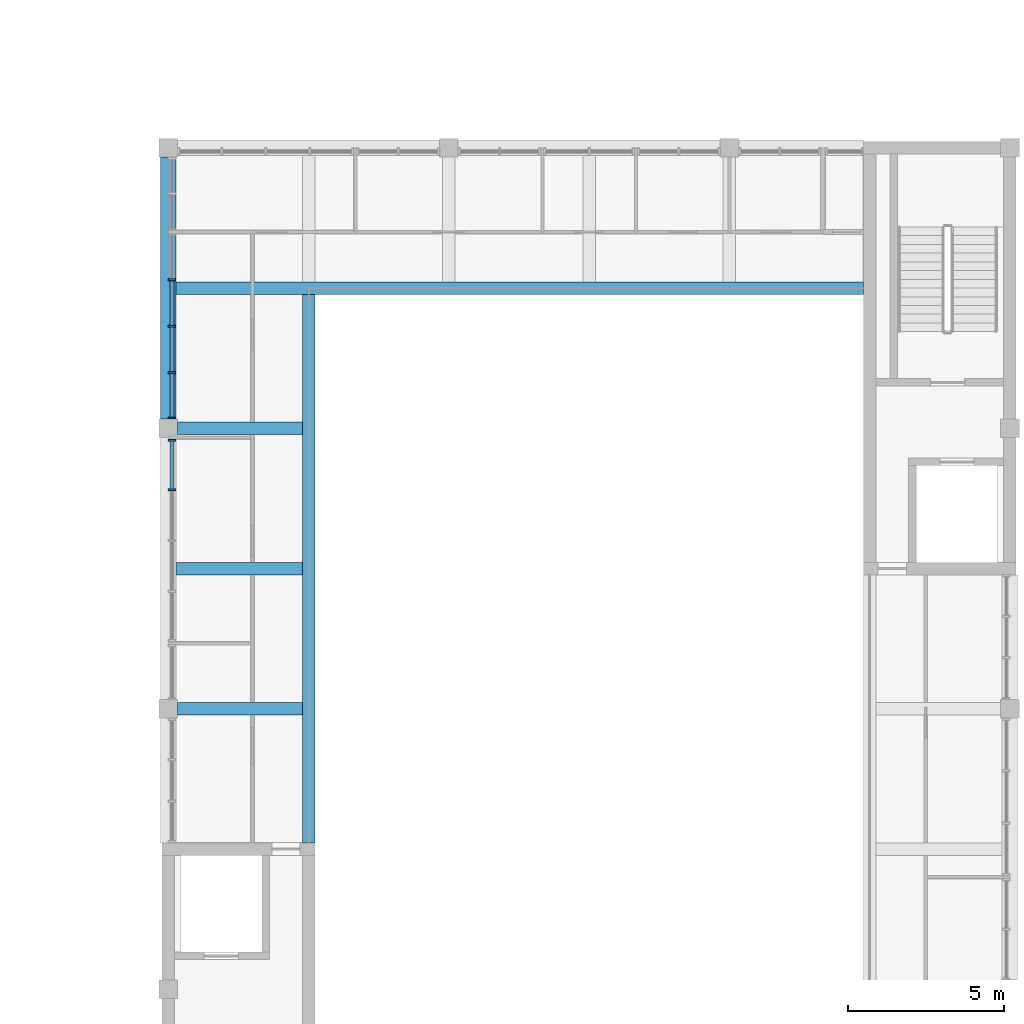
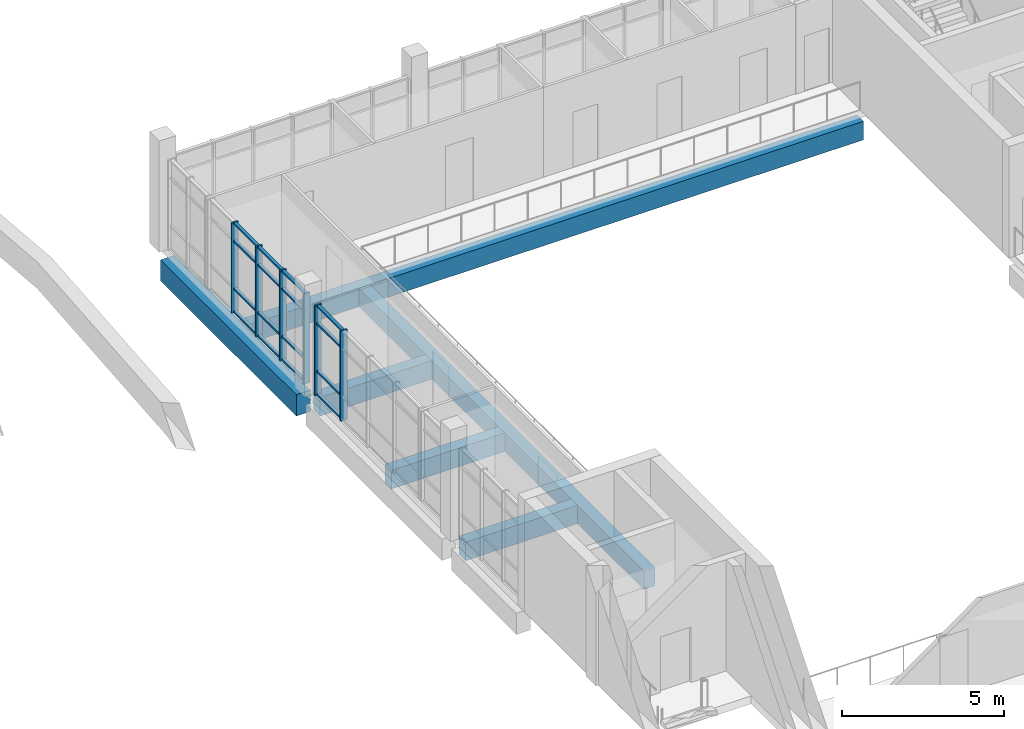
# One storey, part 7 of 88: 22 members, 6 beams, 2 elements without a shape of their own.
"""IFC4 building model written with IfcOpenShell, lengths in metres."""

import ifcopenshell
import ifcopenshell.guid

model = None  # the IFC model being written
_history = None  # IfcOwnerHistory: only IFC2X3 demands one
_inside = {}  # id of a spatial element -> (the spatial element, [elements in it])
_under = {}  # id of a project, library or spatial element -> (it, [spatial elements below it])
_declared = {}  # id of a project -> (the project, [libraries it declares])
_typed = {}  # id of a type object -> (the type object, [elements of that type])
_made_of = {}  # id of a material, layer set ... -> (it, [elements and type objects made of it])


def new_model(schema):
    """Start an empty IFC model of exactly this schema.

    Asked for "IFC4X3", IfcOpenShell would pick the latest addendum, in which some entities
    have other attributes; the version numbers below select the first issue.
    IFC2X3 requires an IfcOwnerHistory on every rooted entity: one is made here for all.
    """
    global model, _history
    if schema == "IFC4X3":
        model = ifcopenshell.file(schema_version=(4, 3, 0, 0))
    else:
        model = ifcopenshell.file(schema=schema)
    _inside.clear()
    _under.clear()
    _declared.clear()
    _typed.clear()
    _made_of.clear()
    _history = None
    if model.schema == "IFC2X3":
        org = make("IfcOrganization", Name="unknown")
        user = make(
            "IfcPersonAndOrganization",
            ThePerson=make("IfcPerson", FamilyName="unknown"),
            TheOrganization=org,
        )
        app = make(
            "IfcApplication",
            ApplicationDeveloper=org,
            Version="unknown",
            ApplicationFullName="unknown",
            ApplicationIdentifier="unknown",
        )
        _history = make(
            "IfcOwnerHistory",
            OwningUser=user,
            OwningApplication=app,
            ChangeAction="ADDED",
            CreationDate=0,
        )
    return model


def make(cls, **values):
    """One entity of the class cls with the attributes given. An attribute that is None is left unset."""
    return model.create_entity(
        cls, **{name: value for name, value in values.items() if value is not None}
    )


def rooted(cls, **values):
    """An entity with a GlobalId (a new one), such as an element, a storey or a relation."""
    return make(cls, GlobalId=ifcopenshell.guid.new(), OwnerHistory=_history, **values)


def si_unit(unit_type, name, prefix=None):
    """IfcSIUnit, for example si_unit("LENGTHUNIT", "METRE", prefix="MILLI")."""
    return make("IfcSIUnit", UnitType=unit_type, Prefix=prefix, Name=name)


def assignment(units):
    """IfcUnitAssignment: the units of a project."""
    return None if units is None else make("IfcUnitAssignment", Units=units)


def point(xyz):
    """IfcCartesianPoint."""
    return None if xyz is None else make("IfcCartesianPoint", Coordinates=xyz)


def direction(xyz):
    """IfcDirection."""
    return None if xyz is None else make("IfcDirection", DirectionRatios=xyz)


def frame(location, z_axis=None, x_axis=None):
    """IfcAxis2Placement3D, a coordinate frame: its origin and axes. An axis left out is left unset."""
    return make(
        "IfcAxis2Placement3D",
        Location=point(location),
        Axis=direction(z_axis),
        RefDirection=direction(x_axis),
    )


def frame_2d(location, x_axis=None):
    """IfcAxis2Placement2D, a coordinate frame in the plane: its origin and x axis."""
    return make(
        "IfcAxis2Placement2D", Location=point(location), RefDirection=direction(x_axis)
    )


def origin():
    """The frame at (0, 0, 0) with its axes left unset."""
    return frame((0.0, 0.0, 0.0))


def origin_2d():
    """The frame at (0, 0) in the plane with its x axis left unset."""
    return frame_2d((0.0, 0.0))


def place(relative_to, where):
    """IfcLocalPlacement: puts the frame where relative to a parent placement (None: the world)."""
    return make(
        "IfcLocalPlacement", PlacementRelTo=relative_to, RelativePlacement=where
    )


def context(
    kind, dimensions, precision=None, world=None, true_north=None, identifier=None
):
    """IfcGeometricRepresentationContext, for example the 3D "Model" context."""
    return make(
        "IfcGeometricRepresentationContext",
        ContextIdentifier=identifier,
        ContextType=kind,
        CoordinateSpaceDimension=dimensions,
        Precision=precision,
        WorldCoordinateSystem=world,
        TrueNorth=true_north,
    )


def subcontext(parent, identifier, kind, view, scale=None):
    """IfcGeometricRepresentationSubContext, for example "Body" below "Model"."""
    return make(
        "IfcGeometricRepresentationSubContext",
        ContextIdentifier=identifier,
        ContextType=kind,
        ParentContext=parent,
        TargetScale=scale,
        TargetView=view,
    )


def project(units=None, contexts=None):
    """IfcProject with its units and contexts."""
    return rooted(
        "IfcProject",
        Name="project",
        RepresentationContexts=contexts,
        UnitsInContext=assignment(units),
    )


def spatial(cls, under=None, at=None, **own):
    """A site, building, storey or space (cls), placed at a placement, below another one or the project."""
    s = rooted(cls, ObjectPlacement=at, **own)
    if under is not None:
        _under.setdefault(under.id(), (under, []))[1].append(s)
    return s


def profile(cls, at=None, kind="AREA", **sizes):
    """A parametric profile (cls). Its sizes go by their IFC names, for example OverallWidth=200.0."""
    return make(cls, ProfileType=kind, Position=at, **sizes)


def rectangle(**sizes):
    """IfcRectangleProfileDef."""
    return profile("IfcRectangleProfileDef", **sizes)


def extrude(swept, where, along, depth):
    """IfcExtrudedAreaSolid: the profile swept, set in the frame where, extruded along a direction by depth."""
    return make(
        "IfcExtrudedAreaSolid",
        SweptArea=swept,
        Position=where,
        ExtrudedDirection=direction(along),
        Depth=depth,
    )


def shape(context_of_items, identifier, shape_type, items):
    """IfcShapeRepresentation: the items that make up one representation, for example the "Body"."""
    return make(
        "IfcShapeRepresentation",
        ContextOfItems=context_of_items,
        RepresentationIdentifier=identifier,
        RepresentationType=shape_type,
        Items=items,
    )


def material(Name=None, Category=None):
    """IfcMaterial."""
    return make("IfcMaterial", Name=Name, Category=Category)


def material_profile(
    of_material, cross_section, Name=None, Category=None, Priority=None
):
    """IfcMaterialProfile: a cross section and its material."""
    return make(
        "IfcMaterialProfile",
        Name=Name,
        Material=of_material,
        Profile=cross_section,
        Priority=Priority,
        Category=Category,
    )


def profile_set(profiles, Name=None, composite=None):
    """IfcMaterialProfileSet."""
    return make(
        "IfcMaterialProfileSet",
        Name=Name,
        MaterialProfiles=profiles,
        CompositeProfile=composite,
    )


def made_of(thing, what):
    """Note that an element or type object is made of a material, layer set ...; save() writes the relation."""
    if what is not None:
        _made_of.setdefault(what.id(), (what, []))[1].append(thing)
    return thing


def type_object(cls, material=None, **own):
    """A type object (cls), such as IfcWallType, which elements share."""
    return made_of(rooted(cls, **own), material)


def element(
    cls,
    number,
    at=None,
    inside=None,
    cuts=None,
    type_object=None,
    material=None,
    context=None,
    identifier="Body",
    shape_type=None,
    held_by="IfcProductDefinitionShape",
    body=None,
    shapes=None,
    **own,
):
    """One element of the class cls, such as IfcWall. Its Tag is "e" and its number.

    at: its placement. inside: the storey or other place that contains it. cuts: it is an
    opening in that element (IfcRelVoidsElement). A single representation is given by context,
    identifier, shape_type and body (its items); several are given by shapes. held_by: the class
    of the entity that holds the representations. save() writes the other relations.
    """
    e = rooted(cls, Tag="e%d" % number, ObjectPlacement=at, **own)
    if body is not None:
        shapes = [shape(context, identifier, shape_type, body)]
    if shapes is not None:
        e.Representation = make(held_by, Representations=shapes)
    if inside is not None:
        _inside.setdefault(inside.id(), (inside, []))[1].append(e)
    if cuts is not None:
        rooted(
            "IfcRelVoidsElement", RelatingBuildingElement=cuts, RelatedOpeningElement=e
        )
    if type_object is not None:
        _typed.setdefault(type_object.id(), (type_object, []))[1].append(e)
    return made_of(e, material)


def aggregate(whole, parts):
    """IfcRelAggregates: a whole, such as a stair, and the parts it consists of."""
    return rooted("IfcRelAggregates", RelatingObject=whole, RelatedObjects=parts)


def save(model, path):
    """Write the relations noted so far, then the file.

    IfcRelAggregates (storeys below a building ...), IfcRelContainedInSpatialStructure (elements
    in a storey), IfcRelDefinesByType, IfcRelAssociatesMaterial and IfcRelDeclares: one each for
    every whole, place, type object, material and project.
    """
    for whole, parts in _under.values():
        aggregate(whole, parts)
    for where, things in _inside.values():
        rooted(
            "IfcRelContainedInSpatialStructure",
            RelatedElements=things,
            RelatingStructure=where,
        )
    for kind, things in _typed.values():
        rooted("IfcRelDefinesByType", RelatedObjects=things, RelatingType=kind)
    for what, things in _made_of.values():
        rooted("IfcRelAssociatesMaterial", RelatedObjects=things, RelatingMaterial=what)
    for by, libraries in _declared.values():
        rooted("IfcRelDeclares", RelatingContext=by, RelatedDefinitions=libraries)
    model.write(path)


model = new_model("IFC4")

# Units and contexts
model_context = context("Model", 3, precision=1e-05, world=origin(), true_north=direction((0.0, 1.0)))
body_context = subcontext(model_context, "Body", "Model", "MODEL_VIEW")
ifc_project = project(units=[si_unit("LENGTHUNIT", "METRE"), si_unit("AREAUNIT", "SQUARE_METRE"), si_unit("VOLUMEUNIT", "CUBIC_METRE"), si_unit("PLANEANGLEUNIT", "RADIAN"), si_unit("MASSUNIT", "GRAM", prefix="KILO")], contexts=[model_context])

# Site, building, storey
site_placement = place(None, origin())
site = spatial("IfcSite", under=ifc_project, at=site_placement, CompositionType="ELEMENT")
building_placement = place(site_placement, origin())
building = spatial("IfcBuilding", under=site, at=building_placement, Name="Merrow Basin Faculty of Sciences", CompositionType="ELEMENT")
storey_placement = place(building_placement, frame((0.0, 0.0, 9.0)))
storey = spatial("IfcBuildingStorey", under=building, at=storey_placement, Name="L02", CompositionType="ELEMENT", Elevation=9.0)

# Curtain wall, members
ifc_material_1 = material(Name="Aluminium alloy 6063", Category="aluminium")
curtain_wall_type = type_object("IfcCurtainWallType", Name="Atrium unitised curtain wall 240", PredefinedType="NOTDEFINED", material=ifc_material_1)
curtain_wall_1_placement = place(storey_placement, origin())
curtain_wall_1 = element("IfcCurtainWall", 1, at=curtain_wall_1_placement, inside=storey, type_object=curtain_wall_type, Name="W curtain wall L02 3", PredefinedType="NOTDEFINED")
ifc_material_2 = material(Name="Aluminium alloy 6063", Category="aluminium")
ifc_material_profile_1 = material_profile(ifc_material_2, rectangle(XDim=0.239990234375, YDim=0.06005859375, at=origin_2d()))
ifc_profile_set_1 = profile_set([ifc_material_profile_1], Name="Aluminium alloy 6063")
member_type_1 = type_object("IfcMemberType", Name="Aluminium mullion 60x240", PredefinedType="MULLION", material=ifc_profile_set_1)
member_1_placement = place(storey_placement, frame((45.1201171875, 25.02490234375, 0.0), z_axis=(0.0, 0.0, 1.0), x_axis=(-1.0, 0.0, 0.0)))
member_1 = element("IfcMember", 2, at=member_1_placement, type_object=member_type_1, Name="CW5 mullion 4", PredefinedType="MULLION", context=body_context, shape_type="SweptSolid", body=[
    extrude(rectangle(XDim=0.239990234375, YDim=0.06005859375, at=origin_2d()), origin(), (0.0, 0.0, 1.0), 3.39990234375),
])
member_2_placement = place(storey_placement, frame((45.1201171875, 26.6201171875, 0.0), z_axis=(0.0, 0.0, 1.0), x_axis=(-1.0, 0.0, 0.0)))
member_2 = element("IfcMember", 3, at=member_2_placement, type_object=member_type_1, Name="CW5 mullion 5", PredefinedType="MULLION", context=body_context, shape_type="SweptSolid", body=[
    extrude(rectangle(XDim=0.239990234375, YDim=0.06005859375, at=origin_2d()), origin(), (0.0, 0.0, 1.0), 3.39990234375),
])

curtain_wall_2_placement = place(storey_placement, origin())
curtain_wall_2 = element("IfcCurtainWall", 4, at=curtain_wall_2_placement, inside=storey, type_object=curtain_wall_type, Name="W curtain wall L02 4", PredefinedType="NOTDEFINED")
member_3_placement = place(storey_placement, frame((45.1201171875, 27.330078125, 0.0), z_axis=(0.0, 0.0, 1.0), x_axis=(-1.0, 0.0, 0.0)))
member_3 = element("IfcMember", 5, at=member_3_placement, type_object=member_type_1, Name="CW5 mullion 1", PredefinedType="MULLION", context=body_context, shape_type="SweptSolid", body=[
    extrude(rectangle(XDim=0.239990234375, YDim=0.06005859375, at=origin_2d()), origin(), (0.0, 0.0, 1.0), 3.39990234375),
])
member_4_placement = place(storey_placement, frame((45.1201171875, 28.78759765625, 0.0), z_axis=(0.0, 0.0, 1.0), x_axis=(-1.0, 0.0, 0.0)))
member_4 = element("IfcMember", 6, at=member_4_placement, type_object=member_type_1, Name="CW5 mullion 2", PredefinedType="MULLION", context=body_context, shape_type="SweptSolid", body=[
    extrude(rectangle(XDim=0.239990234375, YDim=0.06005859375, at=origin_2d()), origin(), (0.0, 0.0, 1.0), 3.39990234375),
])
member_5_placement = place(storey_placement, frame((45.1201171875, 30.27490234375, 0.0), z_axis=(0.0, 0.0, 1.0), x_axis=(-1.0, 0.0, 0.0)))
member_5 = element("IfcMember", 7, at=member_5_placement, type_object=member_type_1, Name="CW5 mullion 3", PredefinedType="MULLION", context=body_context, shape_type="SweptSolid", body=[
    extrude(rectangle(XDim=0.239990234375, YDim=0.06005859375, at=origin_2d()), origin(), (0.0, 0.0, 1.0), 3.39990234375),
])
member_6_placement = place(storey_placement, frame((45.1201171875, 31.762451171875, 0.0), z_axis=(0.0, 0.0, 1.0), x_axis=(-1.0, 0.0, 0.0)))
member_6 = element("IfcMember", 8, at=member_6_placement, type_object=member_type_1, Name="CW5 mullion 4", PredefinedType="MULLION", context=body_context, shape_type="SweptSolid", body=[
    extrude(rectangle(XDim=0.239990234375, YDim=0.06005859375, at=origin_2d()), origin(), (0.0, 0.0, 1.0), 3.39990234375),
])

# Member
ifc_material_3 = material(Name="Aluminium alloy 6063", Category="aluminium")
ifc_material_profile_2 = material_profile(ifc_material_3, rectangle(XDim=0.1201171875, YDim=0.06005859375, at=origin_2d()))
ifc_profile_set_2 = profile_set([ifc_material_profile_2], Name="Aluminium alloy 6063")
member_type_2 = type_object("IfcMemberType", Name="Aluminium transom 60x120", PredefinedType="USERDEFINED", material=ifc_profile_set_2)
member_7_placement = place(storey_placement, frame((45.1201171875, 25.054931640625, 0.030029296875), z_axis=(0.0, 1.0, 0.0), x_axis=(-1.0, 0.0, 0.0)))
member_7 = element("IfcMember", 9, at=member_7_placement, type_object=member_type_2, Name="CW5 transom 4.1", ObjectType="TRANSOM", PredefinedType="USERDEFINED", context=body_context, shape_type="SweptSolid", body=[
    extrude(rectangle(XDim=0.1201171875, YDim=0.06005859375, at=origin_2d()), origin(), (0.0, 0.0, 1.0), 1.53515625),
])

member_8_placement = place(storey_placement, frame((45.1201171875, 25.054931640625, 0.89990234375), z_axis=(0.0, 1.0, 0.0), x_axis=(-1.0, 0.0, 0.0)))
member_8 = element("IfcMember", 10, at=member_8_placement, type_object=member_type_2, Name="CW5 transom 4.2", ObjectType="TRANSOM", PredefinedType="USERDEFINED", context=body_context, shape_type="SweptSolid", body=[
    extrude(rectangle(XDim=0.1201171875, YDim=0.06005859375, at=origin_2d()), origin(), (0.0, 0.0, 1.0), 1.53515625),
])

member_9_placement = place(storey_placement, frame((45.1201171875, 25.054931640625, 2.699951171875), z_axis=(0.0, 1.0, 0.0), x_axis=(-1.0, 0.0, 0.0)))
member_9 = element("IfcMember", 11, at=member_9_placement, type_object=member_type_2, Name="CW5 transom 4.3", ObjectType="TRANSOM", PredefinedType="USERDEFINED", context=body_context, shape_type="SweptSolid", body=[
    extrude(rectangle(XDim=0.1201171875, YDim=0.06005859375, at=origin_2d()), origin(), (0.0, 0.0, 1.0), 1.53515625),
])

member_10_placement = place(storey_placement, frame((45.1201171875, 25.054931640625, 3.3701171875), z_axis=(0.0, 1.0, 0.0), x_axis=(-1.0, 0.0, 0.0)))
member_10 = element("IfcMember", 12, at=member_10_placement, type_object=member_type_2, Name="CW5 transom 4.4", ObjectType="TRANSOM", PredefinedType="USERDEFINED", context=body_context, shape_type="SweptSolid", body=[
    extrude(rectangle(XDim=0.1201171875, YDim=0.06005859375, at=origin_2d()), origin(), (0.0, 0.0, 1.0), 1.53515625),
])

aggregate(curtain_wall_1, [member_1, member_2, member_7, member_8, member_9, member_10])

member_11_placement = place(storey_placement, frame((45.1201171875, 27.360107421875, 0.030029296875), z_axis=(0.0, 1.0, 0.0), x_axis=(-1.0, 0.0, 0.0)))
member_11 = element("IfcMember", 13, at=member_11_placement, type_object=member_type_2, Name="CW5 transom 1.1", ObjectType="TRANSOM", PredefinedType="USERDEFINED", context=body_context, shape_type="SweptSolid", body=[
    extrude(rectangle(XDim=0.1201171875, YDim=0.06005859375, at=origin_2d()), origin(), (0.0, 0.0, 1.0), 1.3974609375),
])

member_12_placement = place(storey_placement, frame((45.1201171875, 27.360107421875, 0.89990234375), z_axis=(0.0, 1.0, 0.0), x_axis=(-1.0, 0.0, 0.0)))
member_12 = element("IfcMember", 14, at=member_12_placement, type_object=member_type_2, Name="CW5 transom 1.2", ObjectType="TRANSOM", PredefinedType="USERDEFINED", context=body_context, shape_type="SweptSolid", body=[
    extrude(rectangle(XDim=0.1201171875, YDim=0.06005859375, at=origin_2d()), origin(), (0.0, 0.0, 1.0), 1.3974609375),
])

member_13_placement = place(storey_placement, frame((45.1201171875, 27.360107421875, 2.699951171875), z_axis=(0.0, 1.0, 0.0), x_axis=(-1.0, 0.0, 0.0)))
member_13 = element("IfcMember", 15, at=member_13_placement, type_object=member_type_2, Name="CW5 transom 1.3", ObjectType="TRANSOM", PredefinedType="USERDEFINED", context=body_context, shape_type="SweptSolid", body=[
    extrude(rectangle(XDim=0.1201171875, YDim=0.06005859375, at=origin_2d()), origin(), (0.0, 0.0, 1.0), 1.3974609375),
])

member_14_placement = place(storey_placement, frame((45.1201171875, 27.360107421875, 3.3701171875), z_axis=(0.0, 1.0, 0.0), x_axis=(-1.0, 0.0, 0.0)))
member_14 = element("IfcMember", 16, at=member_14_placement, type_object=member_type_2, Name="CW5 transom 1.4", ObjectType="TRANSOM", PredefinedType="USERDEFINED", context=body_context, shape_type="SweptSolid", body=[
    extrude(rectangle(XDim=0.1201171875, YDim=0.06005859375, at=origin_2d()), origin(), (0.0, 0.0, 1.0), 1.3974609375),
])

member_15_placement = place(storey_placement, frame((45.1201171875, 28.8173828125, 0.030029296875), z_axis=(0.0, 1.0, 0.0), x_axis=(-1.0, 0.0, 0.0)))
member_15 = element("IfcMember", 17, at=member_15_placement, type_object=member_type_2, Name="CW5 transom 2.1", ObjectType="TRANSOM", PredefinedType="USERDEFINED", context=body_context, shape_type="SweptSolid", body=[
    extrude(rectangle(XDim=0.1201171875, YDim=0.06005859375, at=origin_2d()), origin(), (0.0, 0.0, 1.0), 1.427734375),
])

member_16_placement = place(storey_placement, frame((45.1201171875, 28.8173828125, 0.89990234375), z_axis=(0.0, 1.0, 0.0), x_axis=(-1.0, 0.0, 0.0)))
member_16 = element("IfcMember", 18, at=member_16_placement, type_object=member_type_2, Name="CW5 transom 2.2", ObjectType="TRANSOM", PredefinedType="USERDEFINED", context=body_context, shape_type="SweptSolid", body=[
    extrude(rectangle(XDim=0.1201171875, YDim=0.06005859375, at=origin_2d()), origin(), (0.0, 0.0, 1.0), 1.427734375),
])

member_17_placement = place(storey_placement, frame((45.1201171875, 28.8173828125, 2.699951171875), z_axis=(0.0, 1.0, 0.0), x_axis=(-1.0, 0.0, 0.0)))
member_17 = element("IfcMember", 19, at=member_17_placement, type_object=member_type_2, Name="CW5 transom 2.3", ObjectType="TRANSOM", PredefinedType="USERDEFINED", context=body_context, shape_type="SweptSolid", body=[
    extrude(rectangle(XDim=0.1201171875, YDim=0.06005859375, at=origin_2d()), origin(), (0.0, 0.0, 1.0), 1.427734375),
])

member_18_placement = place(storey_placement, frame((45.1201171875, 28.8173828125, 3.3701171875), z_axis=(0.0, 1.0, 0.0), x_axis=(-1.0, 0.0, 0.0)))
member_18 = element("IfcMember", 20, at=member_18_placement, type_object=member_type_2, Name="CW5 transom 2.4", ObjectType="TRANSOM", PredefinedType="USERDEFINED", context=body_context, shape_type="SweptSolid", body=[
    extrude(rectangle(XDim=0.1201171875, YDim=0.06005859375, at=origin_2d()), origin(), (0.0, 0.0, 1.0), 1.427734375),
])

member_19_placement = place(storey_placement, frame((45.1201171875, 30.304931640625, 0.030029296875), z_axis=(0.0, 1.0, 0.0), x_axis=(-1.0, 0.0, 0.0)))
member_19 = element("IfcMember", 21, at=member_19_placement, type_object=member_type_2, Name="CW5 transom 3.1", ObjectType="TRANSOM", PredefinedType="USERDEFINED", context=body_context, shape_type="SweptSolid", body=[
    extrude(rectangle(XDim=0.1201171875, YDim=0.06005859375, at=origin_2d()), origin(), (0.0, 0.0, 1.0), 1.427490234375),
])

member_20_placement = place(storey_placement, frame((45.1201171875, 30.304931640625, 0.89990234375), z_axis=(0.0, 1.0, 0.0), x_axis=(-1.0, 0.0, 0.0)))
member_20 = element("IfcMember", 22, at=member_20_placement, type_object=member_type_2, Name="CW5 transom 3.2", ObjectType="TRANSOM", PredefinedType="USERDEFINED", context=body_context, shape_type="SweptSolid", body=[
    extrude(rectangle(XDim=0.1201171875, YDim=0.06005859375, at=origin_2d()), origin(), (0.0, 0.0, 1.0), 1.427490234375),
])

member_21_placement = place(storey_placement, frame((45.1201171875, 30.304931640625, 2.699951171875), z_axis=(0.0, 1.0, 0.0), x_axis=(-1.0, 0.0, 0.0)))
member_21 = element("IfcMember", 23, at=member_21_placement, type_object=member_type_2, Name="CW5 transom 3.3", ObjectType="TRANSOM", PredefinedType="USERDEFINED", context=body_context, shape_type="SweptSolid", body=[
    extrude(rectangle(XDim=0.1201171875, YDim=0.06005859375, at=origin_2d()), origin(), (0.0, 0.0, 1.0), 1.427490234375),
])

member_22_placement = place(storey_placement, frame((45.1201171875, 30.304931640625, 3.3701171875), z_axis=(0.0, 1.0, 0.0), x_axis=(-1.0, 0.0, 0.0)))
member_22 = element("IfcMember", 24, at=member_22_placement, type_object=member_type_2, Name="CW5 transom 3.4", ObjectType="TRANSOM", PredefinedType="USERDEFINED", context=body_context, shape_type="SweptSolid", body=[
    extrude(rectangle(XDim=0.1201171875, YDim=0.06005859375, at=origin_2d()), origin(), (0.0, 0.0, 1.0), 1.427490234375),
])

aggregate(curtain_wall_2, [member_3, member_4, member_5, member_6, member_11, member_12, member_13, member_14, member_15, member_16, member_17, member_18, member_19, member_20, member_21, member_22])

# Beams
ifc_material_4 = material(Name="Concrete C40/50", Category="concrete")
ifc_material_profile_3 = material_profile(ifc_material_4, rectangle(XDim=0.5, YDim=0.800048828125, at=origin_2d()))
ifc_profile_set_3 = profile_set([ifc_material_profile_3], Name="Concrete C40/50")
beam_type_1 = type_object("IfcBeamType", Name="Beam RC500x800 C40/50", PredefinedType="BEAM", material=ifc_profile_set_3)
beam_1_placement = place(storey_placement, frame((45.0, 27.300048828125, -0.699951171875), z_axis=(0.0, 1.0, 0.0), x_axis=(-1.0, 0.0, 0.0)))
element("IfcBeam", 25, at=beam_1_placement, inside=storey, type_object=beam_type_1, Name="B4 L02 009", PredefinedType="BEAM", context=body_context, shape_type="SweptSolid", body=[
    extrude(rectangle(XDim=0.5, YDim=0.800048828125, at=origin_2d()), origin(), (0.0, 0.0, 1.0), 8.39990234375),
])
ifc_material_5 = material(Name="Concrete C40/50", Category="concrete")
ifc_material_profile_4 = material_profile(ifc_material_5, rectangle(XDim=0.39990234375, YDim=0.699951171875, at=origin_2d()))
ifc_profile_set_4 = profile_set([ifc_material_profile_4], Name="Concrete C40/50")
beam_type_2 = type_object("IfcBeamType", Name="Gallery edge beam RC400x700 C40/50", PredefinedType="BEAM", material=ifc_profile_set_4)
beam_2_placement = place(storey_placement, frame((45.25, 31.5, -0.64990234375), z_axis=(1.0, 0.0, 0.0), x_axis=(0.0, 1.0, 0.0)))
element("IfcBeam", 26, at=beam_2_placement, inside=storey, type_object=beam_type_2, Name="GB1 L02 014", PredefinedType="BEAM", context=body_context, shape_type="SweptSolid", body=[
    extrude(rectangle(XDim=0.39990234375, YDim=0.699951171875, at=origin_2d()), origin(), (0.0, 0.0, 1.0), 22.050048828125),
])
beam_3_placement = place(storey_placement, frame((49.5, 13.699951171875, -0.64990234375), z_axis=(0.0, 1.0, 0.0), x_axis=(-1.0, 0.0, 0.0)))
element("IfcBeam", 27, at=beam_3_placement, inside=storey, type_object=beam_type_2, Name="GB1 L02 015", PredefinedType="BEAM", context=body_context, shape_type="SweptSolid", body=[
    extrude(rectangle(XDim=0.39990234375, YDim=0.699951171875, at=origin_2d()), origin(), (0.0, 0.0, 1.0), 17.60009765625),
])
beam_4_placement = place(storey_placement, frame((45.25, 22.5, -0.64990234375), z_axis=(1.0, 0.0, 0.0), x_axis=(0.0, 1.0, 0.0)))
element("IfcBeam", 28, at=beam_4_placement, inside=storey, type_object=beam_type_2, Name="GB1 L02 026", PredefinedType="BEAM", context=body_context, shape_type="SweptSolid", body=[
    extrude(rectangle(XDim=0.39990234375, YDim=0.699951171875, at=origin_2d()), origin(), (0.0, 0.0, 1.0), 4.050048828125),
])
for number, where, z_axis, x_axis, name in (
    (29, (45.300048828125, 18.0, -0.64990234375), (1.0, 0.0, 0.0), (0.0, 1.0, 0.0), "GB1 L02 028"),
    (30, (45.300048828125, 27.0, -0.64990234375), (1.0, 0.0, 0.0), (0.0, 1.0, 0.0), "GB1 L02 030"),
):
    element("IfcBeam", number, at=place(storey_placement, frame(where, z_axis=z_axis, x_axis=x_axis)), inside=storey, type_object=beam_type_2, Name=name, PredefinedType="BEAM", context=body_context, shape_type="SweptSolid", body=[
        extrude(rectangle(XDim=0.39990234375, YDim=0.699951171875, at=origin_2d()), origin(), (0.0, 0.0, 1.0), 4.0),
    ])

save(model, "model.ifc")
